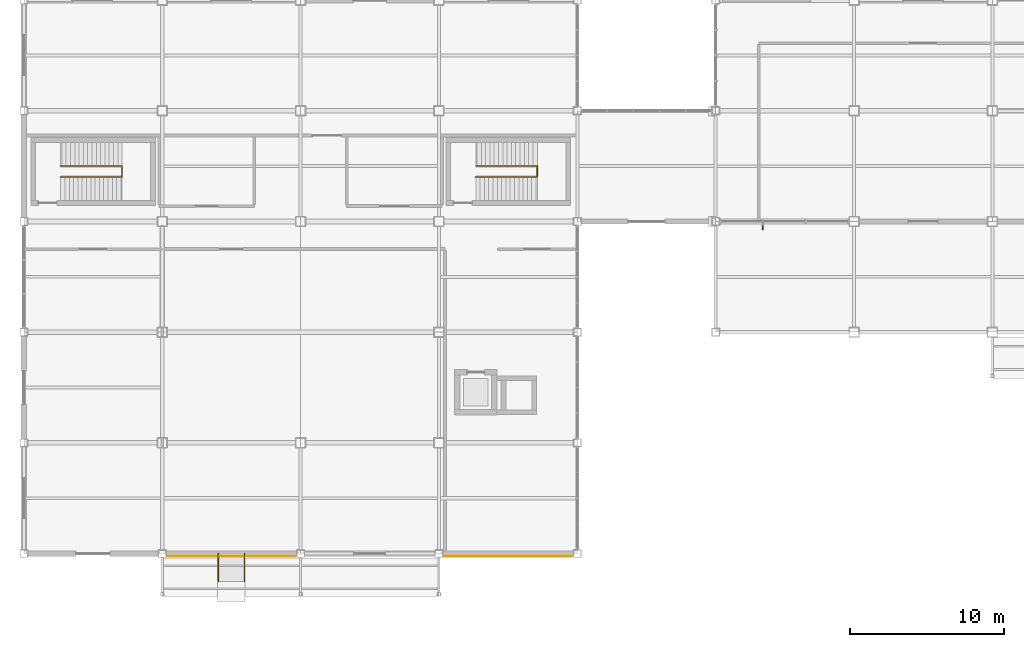
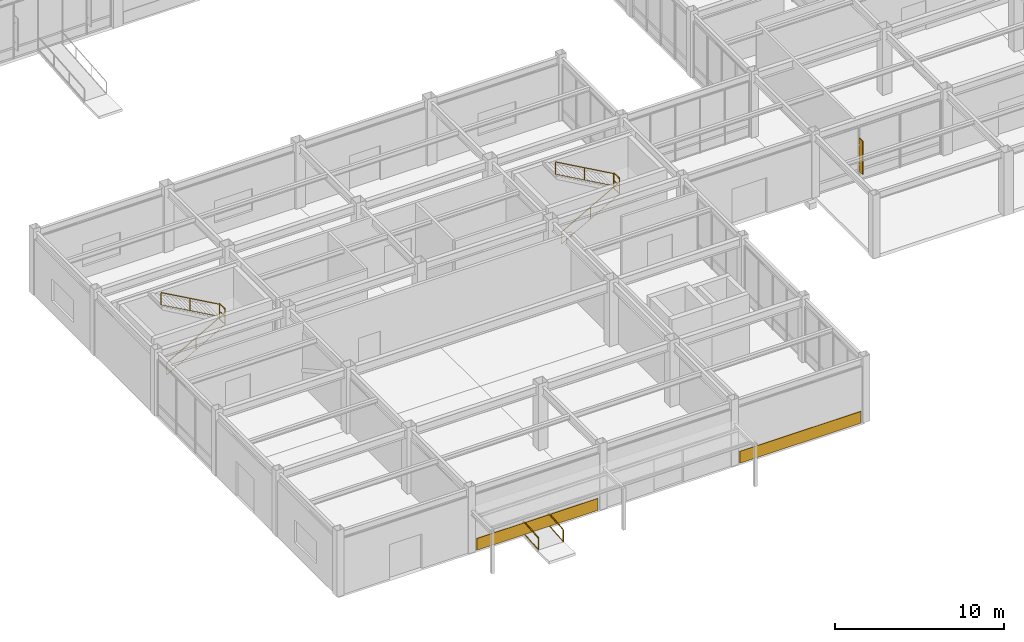
# One storey, part 104 of 112: 8 railings, 2 coverings, 1 shading device.
"""IFC4 building model written with IfcOpenShell, lengths in metres."""

from ifc_helpers import new_model, si_unit, direction, frame, origin, origin_2d, place, context, subcontext, project, spatial, rectangle, extrude, material, layer, layer_set, type_object, element, save


model = new_model("IFC4")

# Units and contexts
model_context = context("Model", 3, precision=1e-05, world=origin(), true_north=direction((0.0, 1.0)))
body_context = subcontext(model_context, "Body", "Model", "MODEL_VIEW")
ifc_project = project(units=[si_unit("LENGTHUNIT", "METRE"), si_unit("AREAUNIT", "SQUARE_METRE"), si_unit("VOLUMEUNIT", "CUBIC_METRE"), si_unit("PLANEANGLEUNIT", "RADIAN"), si_unit("MASSUNIT", "GRAM", prefix="KILO")], contexts=[model_context])

# Site, building, storey
site_placement = place(None, origin())
site = spatial("IfcSite", under=ifc_project, at=site_placement, CompositionType="ELEMENT")
building_placement = place(site_placement, origin())
building = spatial("IfcBuilding", under=site, at=building_placement, Name="Kazanami Central Library", CompositionType="ELEMENT")
storey_placement = place(building_placement, origin())
storey = spatial("IfcBuildingStorey", under=building, at=storey_placement, Name="L01", CompositionType="ELEMENT", Elevation=0.0)

# Coverings
ifc_material_1 = material(Name="Honed Inada Granite", Category="masonry")
ifc_layer = layer(ifc_material_1, 0.0400390625, Name="Honed Inada Granite")
ifc_layer_set = layer_set([ifc_layer], Name="Honed Inada Granite")
covering_type = type_object("IfcCoveringType", Name="COV-CLD-40", PredefinedType="CLADDING", material=ifc_layer_set)
for number, where, z_axis, x_axis, name in (
    (1, (13.5, -0.195068359375, 0.02490234375), (0.0, 0.0, 1.0), (1.0, 0.0, 0.0), "Honed Inada Granite Plinth CLD-40 S-A-01"),
    (2, (31.5, -0.195068359375, 0.02490234375), (0.0, 0.0, 1.0), (1.0, 0.0, 0.0), "Honed Inada Granite Plinth CLD-40 S-A-03"),
):
    element("IfcCovering", number, at=place(storey_placement, frame(where, z_axis=z_axis, x_axis=x_axis)), inside=storey, type_object=covering_type, Name=name, PredefinedType="CLADDING", context=body_context, shape_type="SweptSolid", body=[
        extrude(rectangle(XDim=8.300048828125, YDim=0.0400390625, at=origin_2d()), origin(), (0.0, 0.0, 1.0), 0.85009765625),
    ])

# Railings
ifc_material_2 = material(Name="Stainless Steel SUS304", Category="steel")
railing_type_1 = type_object("IfcRailingType", Name="RAL-GR-S1", PredefinedType="GUARDRAIL", material=ifc_material_2)
for number, where, name in (
    (3, (6.387939453125, 24.52001953125, 2.39990234375), "Half-Landing Well Guard ST-07 L01"),
    (4, (33.387939453125, 24.52001953125, 2.39990234375), "Half-Landing Well Guard ST-08 L01"),
):
    element("IfcRailing", number, at=place(storey_placement, frame(where)), inside=storey, type_object=railing_type_1, Name=name, PredefinedType="GUARDRAIL", context=body_context, shape_type="SweptSolid", body=[
        extrude(rectangle(XDim=0.0439453125, YDim=0.0439453125, at=origin_2d()), frame((0.0, 0.02587890625, 1.1279296875), z_axis=(0.0, 1.0, 0.0), x_axis=(-1.0, 0.0, 0.0)), (0.0, 0.0, 1.0), 0.60791015625),
        extrude(rectangle(XDim=0.02392578125, YDim=0.02392578125, at=origin_2d()), frame((0.0, 0.02587890625, 0.015869140625), z_axis=(0.0, 1.0, 0.0), x_axis=(-1.0, 0.0, 0.0)), (0.0, 0.0, 1.0), 0.60791015625),
        extrude(rectangle(XDim=0.02392578125, YDim=0.02392578125, at=origin_2d()), frame((0.0, 0.02587890625, 0.574951171875), z_axis=(0.0, 1.0, 0.0), x_axis=(-1.0, 0.0, 0.0)), (0.0, 0.0, 1.0), 0.60791015625),
        extrude(rectangle(XDim=0.035888671875, YDim=0.035888671875, at=origin_2d()), origin(), (0.0, 0.0, 1.0), 1.10205078125),
        extrude(rectangle(XDim=0.035888671875, YDim=0.035888671875, at=origin_2d()), frame((0.0, 0.659912109375, 0.0)), (0.0, 0.0, 1.0), 1.10205078125),
    ])
railing_type_2 = type_object("IfcRailingType", Name="RAL-HR-01", PredefinedType="HANDRAIL", material=ifc_material_2)
for number, where, name in (
    (5, (2.39404296875, 24.5, 0.159912109375), "Stair Handrail ST-07 Flight 1 (L01)"),
    (6, (29.39404296875, 24.5, 0.159912109375), "Stair Handrail ST-08 Flight 1 (L01)"),
):
    element("IfcRailing", number, at=place(storey_placement, frame(where)), inside=storey, type_object=railing_type_2, Name=name, PredefinedType="HANDRAIL", context=body_context, shape_type="SweptSolid", body=[
        extrude(rectangle(XDim=0.0439453125, YDim=0.0439453125, at=origin_2d()), frame((0.022705078125, 0.0, 0.890625), z_axis=(0.872188536466, 0.0, 0.489169865033), x_axis=(0.0, 1.0, 0.0)), (0.0, 0.0, 1.0), 4.527099609375),
        extrude(rectangle(XDim=0.02392578125, YDim=0.02392578125, at=origin_2d()), frame((0.022705078125, 0.0, 0.028564453125), z_axis=(0.872188536466, 0.0, 0.489169865033), x_axis=(0.0, 1.0, 0.0)), (0.0, 0.0, 1.0), 4.527099609375),
        extrude(rectangle(XDim=0.035888671875, YDim=0.035888671875, at=origin_2d()), origin(), (0.0, 0.0, 1.0), 0.85205078125),
        extrude(rectangle(XDim=0.035888671875, YDim=0.035888671875, at=origin_2d()), frame((1.9970703125, 0.0, 1.1201171875)), (0.0, 0.0, 1.0), 0.85205078125),
        extrude(rectangle(XDim=0.035888671875, YDim=0.035888671875, at=origin_2d()), frame((3.993896484375, 0.0, 2.239990234375)), (0.0, 0.0, 1.0), 0.85205078125),
    ])
for number, where, name in (
    (7, (12.64990234375, -1.800048828125, -0.14990234375), "Accessible Ramp Handrail RMP-CANAL-SW (L)"),
    (8, (14.35009765625, -1.800048828125, -0.14990234375), "Accessible Ramp Handrail RMP-CANAL-SW (R)"),
):
    element("IfcRailing", number, at=place(storey_placement, frame(where)), inside=storey, type_object=railing_type_2, Name=name, PredefinedType="HANDRAIL", context=body_context, shape_type="SweptSolid", body=[
        extrude(rectangle(XDim=0.0439453125, YDim=0.0439453125, at=origin_2d()), frame((0.0, 0.02587890625, 0.880126953125), z_axis=(0.0, 0.996550417439, 0.082989550564), x_axis=(-1.0, 0.0, 0.0)), (0.0, 0.0, 1.0), 1.75439453125),
        extrude(rectangle(XDim=0.02392578125, YDim=0.02392578125, at=origin_2d()), frame((0.0, 0.02587890625, 0.01806640625), z_axis=(0.0, 0.996550417439, 0.082989550564), x_axis=(-1.0, 0.0, 0.0)), (0.0, 0.0, 1.0), 1.75439453125),
        extrude(rectangle(XDim=0.035888671875, YDim=0.035888671875, at=origin_2d()), origin(), (0.0, 0.0, 1.0), 0.85205078125),
        extrude(rectangle(XDim=0.035888671875, YDim=0.035888671875, at=origin_2d()), frame((0.0, 1.800048828125, 0.14990234375)), (0.0, 0.0, 1.0), 0.85205078125),
    ])
railing_type_3 = type_object("IfcRailingType", Name="RAL-HR-02", PredefinedType="HANDRAIL", material=ifc_material_2)
for number, where, name in (
    (9, (6.39404296875, 25.199951171875, 2.56005859375), "Stair Handrail ST-07 Flight 2 (L01)"),
    (10, (33.39404296875, 25.199951171875, 2.56005859375), "Stair Handrail ST-08 Flight 2 (L01)"),
):
    element("IfcRailing", number, at=place(storey_placement, frame(where)), inside=storey, type_object=railing_type_3, Name=name, PredefinedType="HANDRAIL", context=body_context, shape_type="SweptSolid", body=[
        extrude(rectangle(XDim=0.0439453125, YDim=0.0439453125, at=origin_2d()), frame((-0.022705078125, 0.0, 0.91064453125), z_axis=(-0.872201293295, 0.0, 0.489147118947), x_axis=(0.0, -1.0, 0.0)), (0.0, 0.0, 1.0), 4.52734375),
        extrude(rectangle(XDim=0.02392578125, YDim=0.02392578125, at=origin_2d()), frame((-0.022705078125, 0.0, 0.028564453125), z_axis=(-0.872201293295, 0.0, 0.489147118947), x_axis=(0.0, -1.0, 0.0)), (0.0, 0.0, 1.0), 4.52734375),
        extrude(rectangle(XDim=0.035888671875, YDim=0.035888671875, at=origin_2d()), origin(), (0.0, 0.0, 1.0), 0.8720703125),
        extrude(rectangle(XDim=0.035888671875, YDim=0.035888671875, at=origin_2d()), frame((-1.9970703125, 0.0, 1.1201171875)), (0.0, 0.0, 1.0), 0.8720703125),
        extrude(rectangle(XDim=0.035888671875, YDim=0.035888671875, at=origin_2d()), frame((-3.994140625, 0.0, 2.239990234375)), (0.0, 0.0, 1.0), 0.8720703125),
    ])

# Shading device
ifc_material_3 = material(Name="Anodised Bronze-Grey Aluminium A6063-T5", Category="aluminium")
shading_device_type = type_object("IfcShadingDeviceType", Name="SHD-FIN-2", PredefinedType="USERDEFINED", material=ifc_material_3)
shading_device_placement = place(storey_placement, frame((48.058349609375, 21.27001953125, 0.777587890625), z_axis=(0.0, 0.0, 1.0), x_axis=(1.0, 0.0, 0.0)))
element("IfcShadingDevice", 11, at=shading_device_placement, inside=storey, type_object=shading_device_type, Name="Vertical Solar Fin SF-02 L01 S-D-05.1", ObjectType="SOLAR FIN", PredefinedType="USERDEFINED", context=body_context, shape_type="SweptSolid", body=[
    extrude(rectangle(XDim=0.06494140625, YDim=0.419921875, at=origin_2d()), origin(), (0.0, 0.0, 1.0), 2.39990234375),
])

save(model, "model.ifc")
